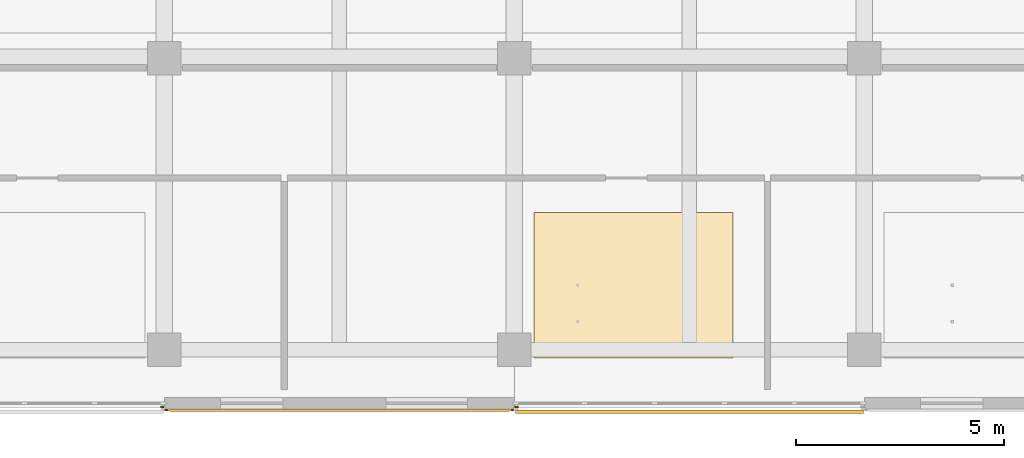
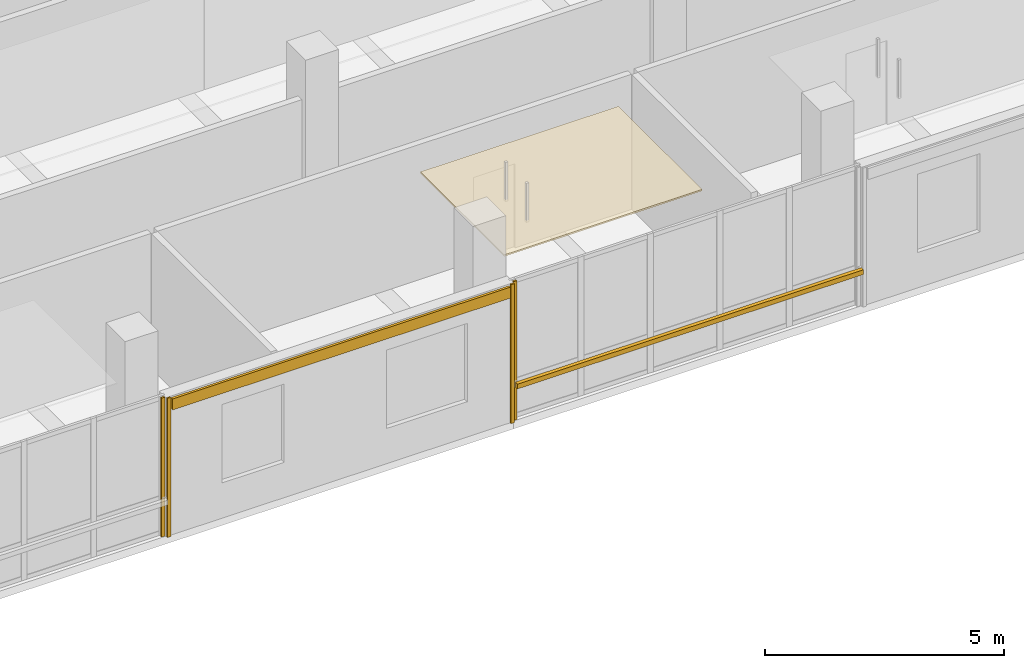
# One storey, part 24 of 34: 6 coverings, 1 shading device.
"""IFC4 building model written with IfcOpenShell, lengths in metres."""

from ifc_helpers import new_model, si_unit, direction, frame, origin, origin_2d, place, context, subcontext, project, spatial, polyline, rectangle, outline, extrude, material, layer, layer_set, type_object, element, save


model = new_model("IFC4")

# Units and contexts
model_context = context("Model", 3, precision=1e-05, world=origin(), true_north=direction((0.0, 1.0)))
body_context = subcontext(model_context, "Body", "Model", "MODEL_VIEW")
ifc_project = project(units=[si_unit("LENGTHUNIT", "METRE"), si_unit("AREAUNIT", "SQUARE_METRE"), si_unit("VOLUMEUNIT", "CUBIC_METRE"), si_unit("PLANEANGLEUNIT", "RADIAN"), si_unit("MASSUNIT", "GRAM", prefix="KILO")], contexts=[model_context])

# Site, building, storey
site_placement = place(None, origin())
site = spatial("IfcSite", under=ifc_project, at=site_placement, CompositionType="ELEMENT")
building_placement = place(site_placement, origin())
building = spatial("IfcBuilding", under=site, at=building_placement, Name="Telukmera Botanical Conservatory", CompositionType="ELEMENT")
storey_placement = place(building_placement, frame((0.0, 0.0, 37.5)))
storey = spatial("IfcBuildingStorey", under=building, at=storey_placement, Name="L08", CompositionType="ELEMENT", Elevation=37.5)

# Coverings
ifc_material_1 = material(Name="Perforated gypsum acoustic ceiling")
ifc_layer_1 = layer(ifc_material_1, 0.0400390625)
ifc_layer_set_1 = layer_set([ifc_layer_1], Name="Perforated gypsum acoustic ceiling")
covering_type_1 = type_object("IfcCoveringType", Name="COV-CEIL-40", PredefinedType="CEILING", material=ifc_layer_set_1)
covering_1_placement = place(storey_placement, frame((0.0, 0.0, 3.31005859375)))
element("IfcCovering", 1, at=covering_1_placement, inside=storey, type_object=covering_type_1, Name="L08 Postdoctoral Fellows Studio Suspended Acoustic Ceiling", PredefinedType="CEILING", context=body_context, shape_type="SweptSolid", body=[
    extrude(outline(polyline([(76.070068359375, 10.39990234375), (80.85009765625, 10.39990234375), (80.85009765625, 13.89990234375), (76.070068359375, 13.89990234375), (76.070068359375, 10.39990234375)])), origin(), (0.0, 0.0, 1.0), 0.0400390625),
])
ifc_material_2 = material(Name="Granite-faced precast concrete C40/50", Category="masonry")
ifc_layer_2 = layer(ifc_material_2, 0.0400390625)
ifc_layer_set_2 = layer_set([ifc_layer_2], Name="Granite-faced precast concrete C40/50")
covering_type_2 = type_object("IfcCoveringType", Name="Granite Precast Column Pier Reveal Casing", PredefinedType="CLADDING", material=ifc_layer_set_2)
for number, where, z_axis, x_axis, name in (
    (2, (67.14794921875, 9.22998046875, 0.0), (0.0, 0.0, 1.0), (1.0, 0.0, 0.0), "Granite Pier Reveal V4:L08:S2 R"),
    (3, (67.251953125, 9.159912109375, 0.0), (0.0, 0.0, 1.0), (1.0, 0.0, 0.0), "Granite Pier Reveal V4:L08:S3 L"),
    (4, (75.548095703125, 9.159912109375, 0.0), (0.0, 0.0, 1.0), (1.0, 0.0, 0.0), "Granite Pier Reveal V4:L08:S3 R"),
    (5, (75.652099609375, 9.22998046875, 0.0), (0.0, 0.0, 1.0), (1.0, 0.0, 0.0), "Granite Pier Reveal V4:L08:S4 L"),
):
    element("IfcCovering", number, at=place(storey_placement, frame(where, z_axis=z_axis, x_axis=x_axis)), inside=storey, type_object=covering_type_2, Name=name, PredefinedType="CLADDING", context=body_context, shape_type="SweptSolid", body=[
        extrude(rectangle(XDim=0.080078125, YDim=0.0400390625, at=origin_2d()), origin(), (0.0, 0.0, 1.0), 3.550048828125),
    ])

# Shading device
ifc_material_3 = material(Name="Perforated terracotta-anodised aluminium 6063-T6", Category="masonry")
ifc_layer_3 = layer(ifc_material_3, 0.044921875)
ifc_layer_set_3 = layer_set([ifc_layer_3], Name="Perforated terracotta-anodised aluminium 6063-T6")
shading_device_type = type_object("IfcShadingDeviceType", Name="Perforated Terracotta Aluminium Monsoon Brise Soleil", PredefinedType="JALOUSIE", material=ifc_layer_set_3)
shading_device_placement = place(storey_placement, frame((79.800048828125, 9.114990234375, 0.889892578125), z_axis=(0.0, 0.0, 1.0), x_axis=(1.0, 0.0, 0.0)))
element("IfcShadingDevice", 6, at=shading_device_placement, inside=storey, type_object=shading_device_type, Name="Monsoon Shading BS01 V4:L08:S4", PredefinedType="JALOUSIE", context=body_context, shape_type="SweptSolid", body=[
    extrude(rectangle(XDim=8.35595703125, YDim=0.090087890625, at=origin_2d()), origin(), (0.0, 0.0, 1.0), 0.1201171875),
])

# Covering
ifc_material_4 = material(Name="Terracotta-faced precast concrete C40/50", Category="masonry")
ifc_layer_4 = layer(ifc_material_4, 0.06005859375)
ifc_layer_set_4 = layer_set([ifc_layer_4], Name="Terracotta-faced precast concrete C40/50")
covering_type_3 = type_object("IfcCoveringType", Name="Polychrome Terracotta Facade Band Cladding", PredefinedType="CLADDING", material=ifc_layer_set_4)
covering_2_placement = place(storey_placement, frame((71.39990234375, 9.14990234375, 3.22998046875), z_axis=(0.0, 0.0, 1.0), x_axis=(1.0, 0.0, 0.0)))
element("IfcCovering", 7, at=covering_2_placement, inside=storey, type_object=covering_type_3, Name="Polychrome Terracotta Band V4:L08:S3", PredefinedType="CLADDING", context=body_context, shape_type="SweptSolid", body=[
    extrude(rectangle(XDim=8.156005859375, YDim=0.06005859375, at=origin_2d()), origin(), (0.0, 0.0, 1.0), 0.280029296875),
])

save(model, "model.ifc")
